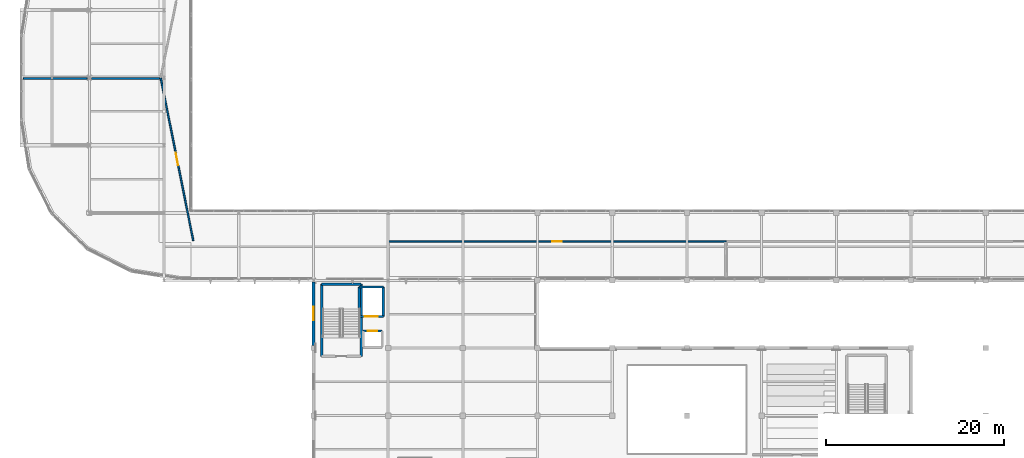
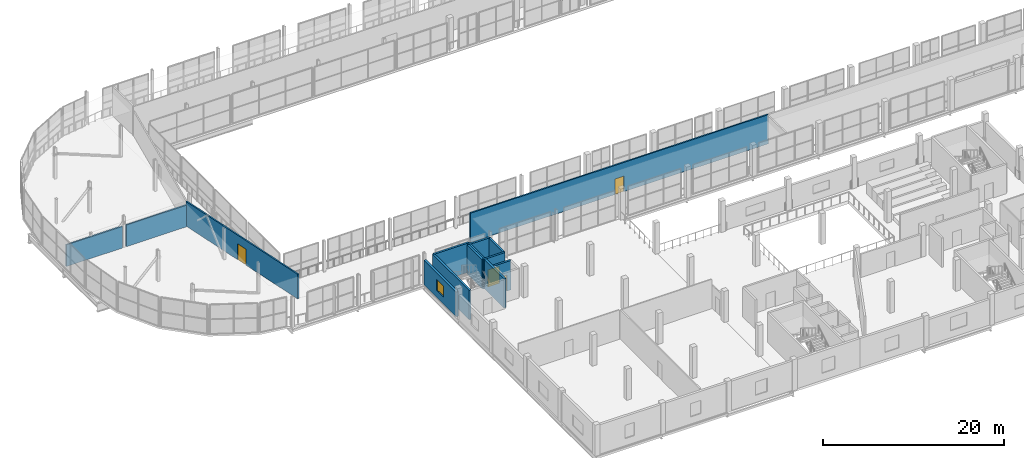
# One storey, part 127 of 151: 13 walls, 4 doors, 1 window, 5 openings.
"""IFC4 building model written with IfcOpenShell, lengths in metres."""

from ifc_helpers import new_model, si_unit, direction, frame, frame_2d, origin, place, context, subcontext, project, spatial, rectangle, extrude, material, layer, layer_set, type_object, element, fill, save


model = new_model("IFC4")

# Units and contexts
model_context = context("Model", 3, precision=1e-05, world=origin(), true_north=direction((0.0, 1.0)))
body_context = subcontext(model_context, "Body", "Model", "MODEL_VIEW")
ifc_project = project(units=[si_unit("LENGTHUNIT", "METRE"), si_unit("AREAUNIT", "SQUARE_METRE"), si_unit("VOLUMEUNIT", "CUBIC_METRE"), si_unit("PLANEANGLEUNIT", "RADIAN"), si_unit("MASSUNIT", "GRAM", prefix="KILO")], contexts=[model_context])

# Site, building, storey
site_placement = place(None, origin())
site = spatial("IfcSite", under=ifc_project, at=site_placement, CompositionType="ELEMENT")
building_placement = place(site_placement, origin())
building = spatial("IfcBuilding", under=site, at=building_placement, Name="Zuvorla Pavilion Media Centre", CompositionType="ELEMENT")
storey_placement = place(building_placement, frame((0.0, 0.0, 13.800048828125)))
storey = spatial("IfcBuildingStorey", under=building, at=storey_placement, Name="L03", CompositionType="ELEMENT", Elevation=13.800048828125)

# Walls
ifc_material_1 = material(Name="Concrete C40/50", Category="concrete")
ifc_layer_1 = layer(ifc_material_1, 0.25)
ifc_layer_set_1 = layer_set([ifc_layer_1], Name="Concrete C40/50")
wall_type_1 = type_object("IfcWallType", Name="WL-COR-250", PredefinedType="SHEAR", material=ifc_layer_set_1)
for number, where, z_axis, x_axis, name in (
    (1, (42.52490234375, 35.47509765625, 0.0), (0.0, 0.0, 1.0), (0.0, 1.0, 0.0), "L03 shear wall CW25 253"),
    (2, (46.97509765625, 35.47509765625, 0.0), (0.0, 0.0, 1.0), (0.0, 1.0, 0.0), "L03 shear wall CW25 254"),
):
    element("IfcWall", number, at=place(storey_placement, frame(where, z_axis=z_axis, x_axis=x_axis)), inside=storey, type_object=wall_type_1, Name=name, PredefinedType="SHEAR", context=body_context, shape_type="SweptSolid", body=[
        extrude(rectangle(XDim=8.099853515625, YDim=0.25, at=frame_2d((4.0498046875, 0.0))), origin(), (0.0, 0.0, 1.0), 3.9599609375),
    ])
wall_1_placement = place(storey_placement, frame((42.52490234375, 43.574951171875, 0.0), z_axis=(0.0, 0.0, 1.0), x_axis=(1.0, 0.0, 0.0)))
element("IfcWall", 3, at=wall_1_placement, inside=storey, type_object=wall_type_1, Name="L03 shear wall CW25 255", PredefinedType="SHEAR", context=body_context, shape_type="SweptSolid", body=[
    extrude(rectangle(XDim=4.4501953125, YDim=0.25, at=frame_2d((2.22509765625, 0.0))), origin(), (0.0, 0.0, 1.0), 3.9599609375),
])

# Wall, opening, door
wall_2_placement = place(storey_placement, frame((47.18994140625, 38.31005859375, 0.0), z_axis=(0.0, 0.0, 1.0), x_axis=(1.0, 0.0, 0.0)))
wall_2 = element("IfcWall", 4, at=wall_2_placement, inside=storey, type_object=wall_type_1, Name="L03 shear wall CW25 278", PredefinedType="SHEAR", context=body_context, shape_type="SweptSolid", body=[
    extrude(rectangle(XDim=2.1201171875, YDim=0.25, at=frame_2d((1.06005859375, 0.0))), origin(), (0.0, 0.0, 1.0), 3.9599609375),
])
opening_1_placement = place(wall_2_placement, frame((0.510009765625, 0.0, 0.0)))
opening_1 = element("IfcOpeningElement", 5, at=opening_1_placement, cuts=wall_2, Name="Opening LD01", PredefinedType="OPENING", context=body_context, shape_type="SweptSolid", body=[
    extrude(rectangle(XDim=1.10009765625, YDim=2.14990234375, at=frame_2d((0.550048828125, 1.074951171875))), frame((0.0, 0.135009765625, 0.0), z_axis=(0.0, -1.0, 0.0), x_axis=(1.0, 0.0, 0.0)), (0.0, 0.0, 1.0), 0.27001953125),
])
ifc_material_2 = material(Name="Brushed stainless steel sliding lift landing door", Category="steel")
door_type_1 = type_object("IfcDoorType", Name="DR-LFT-LD01", OperationType="SLIDING_TO_LEFT", PredefinedType="DOOR", material=ifc_material_2)
door_1_placement = place(opening_1_placement, origin())
door_1 = element("IfcDoor", 6, at=door_1_placement, inside=storey, type_object=door_type_1, Name="Lift LF-05 landing door LD01 99", OperationType="SLIDING_TO_LEFT", OverallHeight=2.14990234375, OverallWidth=1.10009765625, PredefinedType="DOOR", context=body_context, shape_type="SweptSolid", body=[
    extrude(rectangle(XDim=1.10009765625, YDim=2.14990234375, at=frame_2d((0.550048828125, 1.074951171875))), frame((0.0, 0.02490234375, 0.0), z_axis=(0.0, -1.0, 0.0), x_axis=(1.0, 0.0, 0.0)), (0.0, 0.0, 1.0), 0.050048828125),
])
fill(opening_1, door_1)

wall_3_placement = place(storey_placement, frame((46.739990234375, 39.93994140625, 0.0), z_axis=(0.0, 0.0, 1.0), x_axis=(1.0, 0.0, 0.0)))
wall_3 = element("IfcWall", 7, at=wall_3_placement, inside=storey, type_object=wall_type_1, Name="L03 shear wall CW25 297", PredefinedType="SHEAR", context=body_context, shape_type="SweptSolid", body=[
    extrude(rectangle(XDim=2.719970703125, YDim=0.25, at=frame_2d((1.35986328125, 0.0))), origin(), (0.0, 0.0, 1.0), 3.9599609375),
])
opening_2_placement = place(wall_3_placement, frame((0.610107421875, 0.0, 0.0)))
opening_2 = element("IfcOpeningElement", 8, at=opening_2_placement, cuts=wall_3, Name="Opening LD03", PredefinedType="OPENING", context=body_context, shape_type="SweptSolid", body=[
    extrude(rectangle(XDim=1.5, YDim=2.300048828125, at=frame_2d((0.75, 1.14990234375))), frame((0.0, 0.135009765625, 0.0), z_axis=(0.0, -1.0, 0.0), x_axis=(1.0, 0.0, 0.0)), (0.0, 0.0, 1.0), 0.27001953125),
])
door_type_2 = type_object("IfcDoorType", Name="DR-LFT-LD03", OperationType="SLIDING_TO_LEFT", PredefinedType="DOOR", material=ifc_material_2)
door_2_placement = place(opening_2_placement, origin())
door_2 = element("IfcDoor", 9, at=door_2_placement, inside=storey, type_object=door_type_2, Name="Lift LF-06 landing door LD03 104", OperationType="SLIDING_TO_LEFT", OverallHeight=2.300048828125, OverallWidth=1.5, PredefinedType="DOOR", context=body_context, shape_type="SweptSolid", body=[
    extrude(rectangle(XDim=1.5, YDim=2.300048828125, at=frame_2d((0.75, 1.14990234375))), frame((0.0, 0.02490234375, 0.0), z_axis=(0.0, -1.0, 0.0), x_axis=(1.0, 0.0, 0.0)), (0.0, 0.0, 1.0), 0.050048828125),
])
fill(opening_2, door_2)

# Walls
wall_4_placement = place(storey_placement, frame((46.739990234375, 43.260009765625, 0.0), z_axis=(0.0, 0.0, 1.0), x_axis=(1.0, 0.0, 0.0)))
element("IfcWall", 10, at=wall_4_placement, inside=storey, type_object=wall_type_1, Name="L03 shear wall CW25 298", PredefinedType="SHEAR", context=body_context, shape_type="SweptSolid", body=[
    extrude(rectangle(XDim=2.719970703125, YDim=0.25, at=frame_2d((1.35986328125, 0.0))), origin(), (0.0, 0.0, 1.0), 3.9599609375),
])
for number, where, z_axis, x_axis, name in (
    (11, (46.739990234375, 39.93994140625, 0.0), (0.0, 0.0, 1.0), (0.0, 1.0, 0.0), "L03 shear wall CW25 299"),
    (12, (49.4599609375, 39.93994140625, 0.0), (0.0, 0.0, 1.0), (0.0, 1.0, 0.0), "L03 shear wall CW25 300"),
):
    element("IfcWall", number, at=place(storey_placement, frame(where, z_axis=z_axis, x_axis=x_axis)), inside=storey, type_object=wall_type_1, Name=name, PredefinedType="SHEAR", context=body_context, shape_type="SweptSolid", body=[
        extrude(rectangle(XDim=3.320068359375, YDim=0.25, at=frame_2d((1.66015625, 0.0))), origin(), (0.0, 0.0, 1.0), 3.9599609375),
    ])

# Wall, opening, window
ifc_material_3 = material(Name="White rendered concrete C32/40", Category="concrete")
ifc_layer_2 = layer(ifc_material_3, 0.300048828125)
ifc_layer_set_2 = layer_set([ifc_layer_2], Name="White rendered concrete C32/40")
wall_type_2 = type_object("IfcWallType", Name="WL-EXT-300", PredefinedType="SOLIDWALL", material=ifc_layer_set_2)
wall_5_placement = place(storey_placement, frame((41.60009765625, 43.83984375, 0.0), z_axis=(0.0, 0.0, 1.0), x_axis=(0.0, -1.0, 0.0)))
wall_5 = element("IfcWall", 13, at=wall_5_placement, inside=storey, type_object=wall_type_2, Name="L03 exterior solid wall EW03 237", PredefinedType="SOLIDWALL", context=body_context, shape_type="SweptSolid", body=[
    extrude(rectangle(XDim=7.139892578125, YDim=0.300048828125, at=frame_2d((3.56982421875, 0.0))), origin(), (0.0, 0.0, 1.0), 3.314697265625),
])
opening_3_placement = place(wall_5_placement, frame((2.81982421875, 0.0, 0.949951171875)))
opening_3 = element("IfcOpeningElement", 14, at=opening_3_placement, cuts=wall_5, Name="Opening WN03", PredefinedType="OPENING", context=body_context, shape_type="SweptSolid", body=[
    extrude(rectangle(XDim=1.5, YDim=1.5, at=frame_2d((0.75, 0.75))), frame((0.0, 0.159912109375, 0.0), z_axis=(0.0, -1.0, 0.0), x_axis=(1.0, 0.0, 0.0)), (0.0, 0.0, 1.0), 0.320068359375),
])
ifc_material_4 = material(Name="Anodised aluminium frame with solar double glazing", Category="aluminium")
window_type = type_object("IfcWindowType", Name="WIN-WN03", PartitioningType="SINGLE_PANEL", PredefinedType="WINDOW", material=ifc_material_4)
window_placement = place(opening_3_placement, origin())
window = element("IfcWindow", 15, at=window_placement, inside=storey, type_object=window_type, Name="L03 window WN03 87", OverallHeight=1.5, OverallWidth=1.5, PartitioningType="SINGLE_PANEL", PredefinedType="WINDOW", context=body_context, shape_type="SweptSolid", body=[
    extrude(rectangle(XDim=1.5, YDim=1.5, at=frame_2d((0.75, 0.75))), frame((0.0, 0.030029296875, 0.0), z_axis=(0.0, -1.0, 0.0), x_axis=(1.0, 0.0, 0.0)), (0.0, 0.0, 1.0), 0.06005859375),
])
fill(opening_3, window)

# Wall, opening, door
ifc_material_5 = material(Name="Double acoustic gypsum stud partition")
ifc_layer_3 = layer(ifc_material_5, 0.179931640625)
ifc_layer_set_3 = layer_set([ifc_layer_3], Name="Double acoustic gypsum stud partition")
wall_type_3 = type_object("IfcWallType", Name="WL-PRT-180", PredefinedType="PARTITIONING", material=ifc_layer_set_3)
wall_6_placement = place(storey_placement, frame((88.01953125, 48.39990234375, 0.0), z_axis=(0.0, 0.0, 1.0), x_axis=(-1.0, 0.0, 0.0)))
wall_6 = element("IfcWall", 16, at=wall_6_placement, inside=storey, type_object=wall_type_3, Name="L03 partition PT18 527", PredefinedType="PARTITIONING", context=body_context, shape_type="SweptSolid", body=[
    extrude(rectangle(XDim=38.0390625, YDim=0.179931640625, at=frame_2d((19.01953125, 0.0))), origin(), (0.0, 0.0, 1.0), 3.949951171875),
])
opening_4_placement = place(wall_6_placement, frame((18.469482421875, 0.0, 0.0)))
opening_4 = element("IfcOpeningElement", 17, at=opening_4_placement, cuts=wall_6, Name="Opening FD05", PredefinedType="OPENING", context=body_context, shape_type="SweptSolid", body=[
    extrude(rectangle(XDim=1.10009765625, YDim=2.10009765625, at=frame_2d((0.550048828125, 1.050048828125))), frame((0.0, 0.099853515625, 0.0), z_axis=(0.0, -1.0, 0.0), x_axis=(1.0, 0.0, 0.0)), (0.0, 0.0, 1.0), 0.199951171875),
])
ifc_material_6 = material(Name="Acoustic timber fire door leaf in steel frame", Category="steel")
door_type_3 = type_object("IfcDoorType", Name="DR-INT-FD05", OperationType="NOTDEFINED", PredefinedType="DOOR", material=ifc_material_6)
door_3_placement = place(opening_4_placement, origin())
door_3 = element("IfcDoor", 18, at=door_3_placement, inside=storey, type_object=door_type_3, Name="Interior door FD05 227", OperationType="SINGLE_SWING_RIGHT", OverallHeight=2.10009765625, OverallWidth=1.10009765625, PredefinedType="DOOR", context=body_context, shape_type="SweptSolid", body=[
    extrude(rectangle(XDim=1.10009765625, YDim=2.10009765625, at=frame_2d((0.550048828125, 1.050048828125))), frame((0.0, 0.02490234375, 0.0), z_axis=(0.0, -1.0, 0.0), x_axis=(1.0, 0.0, 0.0)), (0.0, 0.0, 1.0), 0.050048828125),
])
fill(opening_4, door_3)

wall_7_placement = place(storey_placement, frame((28.083740234375, 48.478515625, 0.0), z_axis=(0.0, 0.0, 1.0), x_axis=(-0.196088525725, 0.980586197169, 0.0)))
wall_7 = element("IfcWall", 19, at=wall_7_placement, inside=storey, type_object=wall_type_3, Name="L03 partition PT18 530", PredefinedType="PARTITIONING", context=body_context, shape_type="SweptSolid", body=[
    extrude(rectangle(XDim=18.70556640625, YDim=0.179931640625, at=frame_2d((9.352783203125, 0.0))), origin(), (0.0, 0.0, 1.0), 3.314697265625),
])
opening_5_placement = place(wall_7_placement, frame((8.65283203125, 0.0, 0.0)))
opening_5 = element("IfcOpeningElement", 20, at=opening_5_placement, cuts=wall_7, Name="Opening FD07", PredefinedType="OPENING", context=body_context, shape_type="SweptSolid", body=[
    extrude(rectangle(XDim=1.39990234375, YDim=2.14990234375, at=frame_2d((0.699951171875, 1.074951171875))), frame((0.0, 0.099853515625, 0.0), z_axis=(0.0, -1.0, 0.0), x_axis=(1.0, 0.0, 0.0)), (0.0, 0.0, 1.0), 0.199951171875),
])
door_type_4 = type_object("IfcDoorType", Name="DR-INT-FD07", OperationType="NOTDEFINED", PredefinedType="DOOR", material=ifc_material_6)
door_4_placement = place(opening_5_placement, origin())
door_4 = element("IfcDoor", 21, at=door_4_placement, inside=storey, type_object=door_type_4, Name="Interior door FD07 230", OperationType="DOUBLE_DOOR_SINGLE_SWING", OverallHeight=2.14990234375, OverallWidth=1.39990234375, PredefinedType="DOOR", context=body_context, shape_type="SweptSolid", body=[
    extrude(rectangle(XDim=1.39990234375, YDim=2.14990234375, at=frame_2d((0.699951171875, 1.074951171875))), frame((0.0, 0.02490234375, 0.0), z_axis=(0.0, -1.0, 0.0), x_axis=(1.0, 0.0, 0.0)), (0.0, 0.0, 1.0), 0.050048828125),
])
fill(opening_5, door_4)

# Walls
wall_8_placement = place(storey_placement, frame((16.64453125, 66.7099609375, 0.0), z_axis=(0.0, 0.0, 1.0), x_axis=(1.0, 0.0, 0.0)))
element("IfcWall", 22, at=wall_8_placement, inside=storey, type_object=wall_type_3, Name="L03 partition PT18 545", PredefinedType="PARTITIONING", context=body_context, shape_type="SweptSolid", body=[
    extrude(rectangle(XDim=7.66552734375, YDim=0.179931640625, at=frame_2d((3.832763671875, 0.0))), origin(), (0.0, 0.0, 1.0), 2.9189453125),
])
wall_9_placement = place(storey_placement, frame((8.97998046875, 66.7099609375, 0.0), z_axis=(0.0, 0.0, 1.0), x_axis=(1.0, 0.0, 0.0)))
element("IfcWall", 23, at=wall_9_placement, inside=storey, type_object=wall_type_3, Name="L03 partition PT18 546", PredefinedType="PARTITIONING", context=body_context, shape_type="SweptSolid", body=[
    extrude(rectangle(XDim=7.175537109375, YDim=0.179931640625, at=frame_2d((3.587890625, 0.0))), origin(), (0.0, 0.0, 1.0), 2.9189453125),
])

save(model, "model.ifc")
